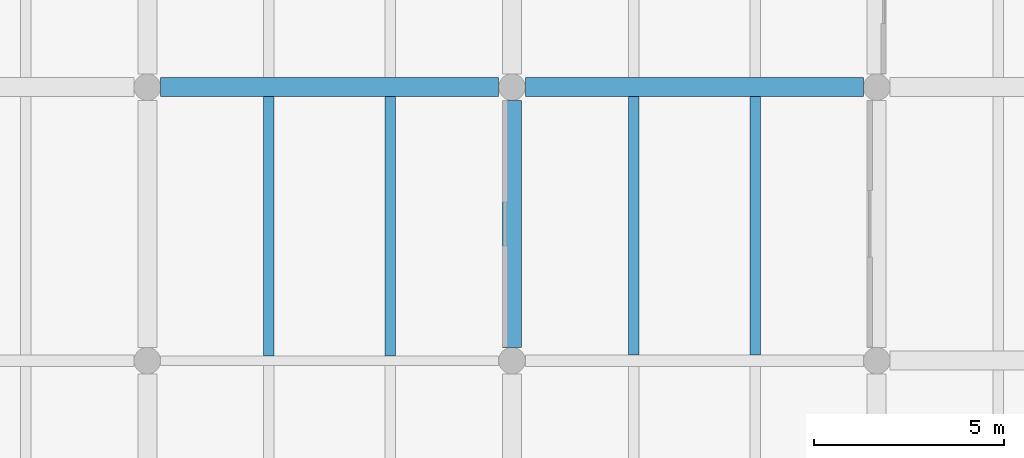
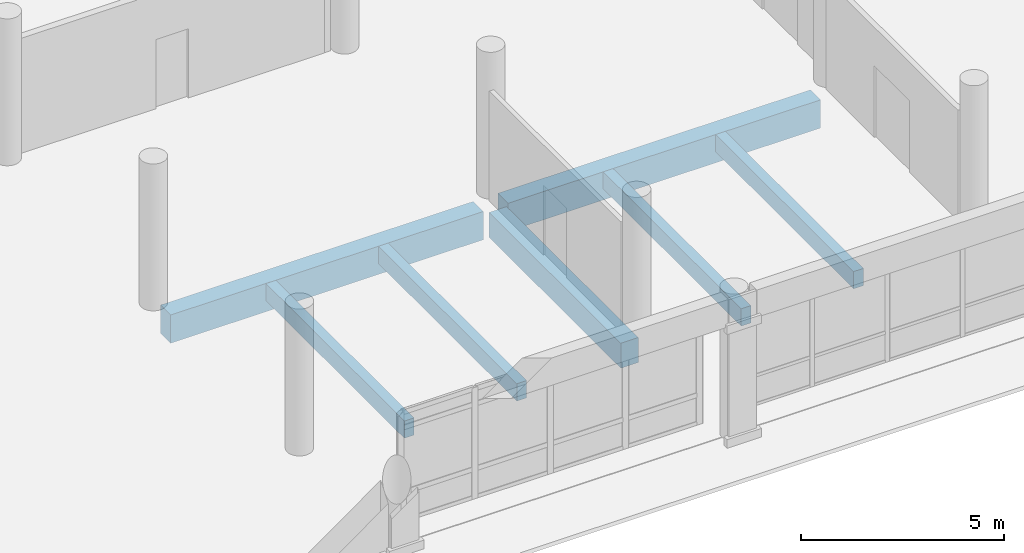
# One storey, part 35 of 196: 7 beams.
"""IFC4 building model written with IfcOpenShell, lengths in metres."""

from ifc_helpers import new_model, si_unit, direction, frame, origin, origin_2d, place, context, subcontext, project, spatial, rectangle, extrude, material, material_profile, profile_set, type_object, element, save


model = new_model("IFC4")

# Units and contexts
model_context = context("Model", 3, precision=1e-05, world=origin(), true_north=direction((0.0, 1.0)))
body_context = subcontext(model_context, "Body", "Model", "MODEL_VIEW")
ifc_project = project(units=[si_unit("LENGTHUNIT", "METRE"), si_unit("AREAUNIT", "SQUARE_METRE"), si_unit("VOLUMEUNIT", "CUBIC_METRE"), si_unit("PLANEANGLEUNIT", "RADIAN"), si_unit("MASSUNIT", "GRAM", prefix="KILO")], contexts=[model_context])

# Site, building, storey
site_placement = place(None, origin())
site = spatial("IfcSite", under=ifc_project, at=site_placement, CompositionType="ELEMENT")
building_placement = place(site_placement, origin())
building = spatial("IfcBuilding", under=site, at=building_placement, Name="Asteropetra Specialist Clinic", CompositionType="ELEMENT")
storey_placement = place(building_placement, origin())
storey = spatial("IfcBuildingStorey", under=building, at=storey_placement, Name="L00", CompositionType="ELEMENT", Elevation=0.0)

# Beams
ifc_material_1 = material(Name="Concrete C35/45", Category="concrete")
ifc_material_profile_1 = material_profile(ifc_material_1, rectangle(XDim=0.5, YDim=0.75, at=origin_2d()), Name="RCB 500x750")
ifc_profile_set_1 = profile_set([ifc_material_profile_1], Name="Concrete C35/45")
beam_type_1 = type_object("IfcBeamType", Name="BM-RC500x750", PredefinedType="BEAM", material=ifc_profile_set_1)
beam_1_placement = place(storey_placement, frame((38.39990234375, 5.14990234375, -0.715087890625), z_axis=(0.0, 1.0, 0.0), x_axis=(-1.0, 0.0, 0.0)))
element("IfcBeam", 1, at=beam_1_placement, inside=storey, type_object=beam_type_1, Name="Beam BBM04-0054", PredefinedType="BEAM", context=body_context, shape_type="SweptSolid", body=[
    extrude(rectangle(XDim=0.5, YDim=0.75, at=origin_2d()), origin(), (0.0, 0.0, 1.0), 6.5),
])
ifc_material_2 = material(Name="Concrete C35/45", Category="concrete")
ifc_material_profile_2 = material_profile(ifc_material_2, rectangle(XDim=0.5, YDim=0.85009765625, at=origin_2d()), Name="RCB 500x850")
ifc_profile_set_2 = profile_set([ifc_material_profile_2], Name="Concrete C35/45")
beam_type_2 = type_object("IfcBeamType", Name="BM-RC500x850", PredefinedType="BEAM", material=ifc_profile_set_2)
beam_2_placement = place(storey_placement, frame((29.14990234375, 12.0, -0.764892578125), z_axis=(1.0, 0.0, 0.0), x_axis=(0.0, 1.0, 0.0)))
element("IfcBeam", 2, at=beam_2_placement, inside=storey, type_object=beam_type_2, Name="Beam BBM03-0016", PredefinedType="BEAM", context=body_context, shape_type="SweptSolid", body=[
    extrude(rectangle(XDim=0.5, YDim=0.85009765625, at=origin_2d()), origin(), (0.0, 0.0, 1.0), 8.900146484375),
])
beam_3_placement = place(storey_placement, frame((38.75, 12.0, -0.764892578125), z_axis=(1.0, 0.0, 0.0), x_axis=(0.0, 1.0, 0.0)))
element("IfcBeam", 3, at=beam_3_placement, inside=storey, type_object=beam_type_2, Name="Beam BBM03-0017", PredefinedType="BEAM", context=body_context, shape_type="SweptSolid", body=[
    extrude(rectangle(XDim=0.5, YDim=0.85009765625, at=origin_2d()), origin(), (0.0, 0.0, 1.0), 8.89990234375),
])
ifc_material_3 = material(Name="Concrete C35/45", Category="concrete")
ifc_material_profile_3 = material_profile(ifc_material_3, rectangle(XDim=0.280029296875, YDim=0.52001953125, at=origin_2d()), Name="RCJ 280x520")
ifc_profile_set_3 = profile_set([ifc_material_profile_3], Name="Concrete C35/45")
beam_type_3 = type_object("IfcBeamType", Name="JST-RC280x520", PredefinedType="JOIST", material=ifc_profile_set_3)
for number, where, z_axis, x_axis, name in (
    (4, (32.0, 4.925048828125, -0.60009765625), (0.0, 1.0, 0.0), (-1.0, 0.0, 0.0), "Joist JJST01-0063"),
    (5, (35.199951171875, 4.925048828125, -0.60009765625), (0.0, 1.0, 0.0), (-1.0, 0.0, 0.0), "Joist JJST01-0064"),
):
    element("IfcBeam", number, at=place(storey_placement, frame(where, z_axis=z_axis, x_axis=x_axis)), inside=storey, type_object=beam_type_3, Name=name, PredefinedType="JOIST", context=body_context, shape_type="SweptSolid", body=[
        extrude(rectangle(XDim=0.280029296875, YDim=0.52001953125, at=origin_2d()), origin(), (0.0, 0.0, 1.0), 6.824951171875),
    ])
for number, where, z_axis, x_axis, name in (
    (6, (41.60009765625, 4.949951171875, -0.60009765625), (0.0, 1.0, 0.0), (-1.0, 0.0, 0.0), "Joist JJST01-0065"),
    (7, (44.800048828125, 4.949951171875, -0.60009765625), (0.0, 1.0, 0.0), (-1.0, 0.0, 0.0), "Joist JJST01-0066"),
):
    element("IfcBeam", number, at=place(storey_placement, frame(where, z_axis=z_axis, x_axis=x_axis)), inside=storey, type_object=beam_type_3, Name=name, PredefinedType="JOIST", context=body_context, shape_type="SweptSolid", body=[
        extrude(rectangle(XDim=0.280029296875, YDim=0.52001953125, at=origin_2d()), origin(), (0.0, 0.0, 1.0), 6.800048828125),
    ])

save(model, "model.ifc")
